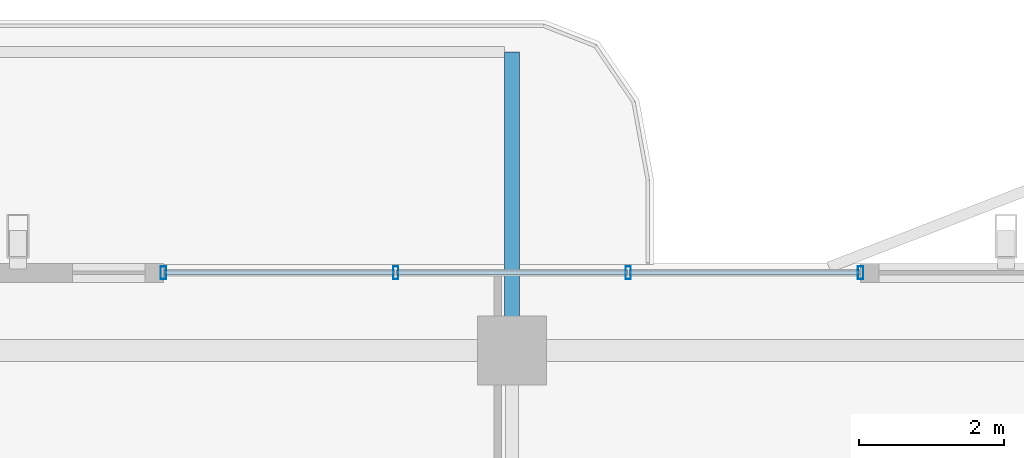
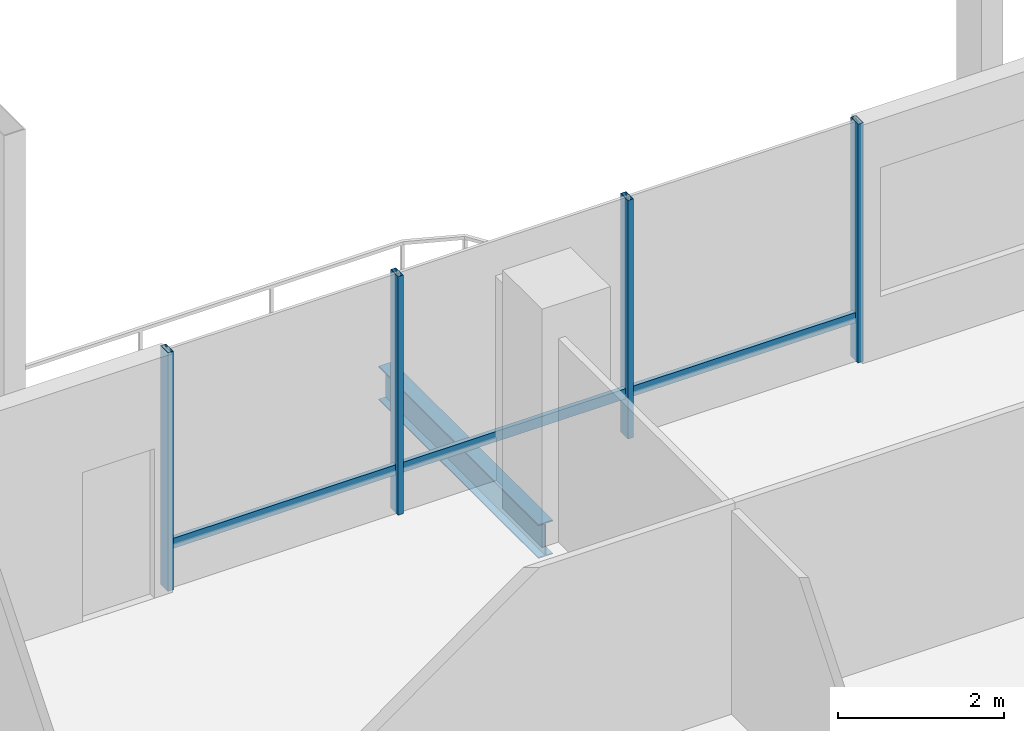
# One storey, part 11 of 20: 7 members, 1 beam, 1 element without a shape of its own.
"""IFC4 building model written with IfcOpenShell, lengths in metres."""

from ifc_helpers import new_model, si_unit, direction, frame, origin, origin_2d, place, context, subcontext, project, spatial, hollow_rectangle, i_section, extrude, material, layer, layer_set, material_profile, profile_set, type_object, element, aggregate, save


model = new_model("IFC4")

# Units and contexts
model_context = context("Model", 3, precision=1e-05, world=origin(), true_north=direction((0.0, 1.0)))
body_context = subcontext(model_context, "Body", "Model", "MODEL_VIEW")
ifc_project = project(units=[si_unit("LENGTHUNIT", "METRE"), si_unit("AREAUNIT", "SQUARE_METRE"), si_unit("VOLUMEUNIT", "CUBIC_METRE"), si_unit("PLANEANGLEUNIT", "RADIAN"), si_unit("MASSUNIT", "GRAM", prefix="KILO")], contexts=[model_context])

# Site, building, storey
site_placement = place(None, origin())
site = spatial("IfcSite", under=ifc_project, at=site_placement, CompositionType="ELEMENT")
building_placement = place(site_placement, origin())
building = spatial("IfcBuilding", under=site, at=building_placement, Name="Belovzor Exchange Tower", CompositionType="ELEMENT")
storey_placement = place(building_placement, frame((0.0, 0.0, 299.25)))
storey = spatial("IfcBuildingStorey", under=building, at=storey_placement, Name="L74", CompositionType="ELEMENT", Elevation=299.25)

# Beam
ifc_material_1 = material(Name="Steel S355", Category="steel")
ifc_material_profile_1 = material_profile(ifc_material_1, i_section(OverallWidth=0.199951171875, OverallDepth=0.5, WebThickness=0.01025390625, FlangeThickness=0.01611328125, at=origin_2d()))
ifc_profile_set_1 = profile_set([ifc_material_profile_1], Name="Steel S355")
beam_type = type_object("IfcBeamType", Name="Planted Balcony Cantilever Beam IPE 500", PredefinedType="BEAM", material=ifc_profile_set_1)
beam_placement = place(storey_placement, frame((28.800048828125, 50.660888671875, -0.489990234375), z_axis=(0.0, 1.0, 0.0), x_axis=(-1.0, 0.0, 0.0)))
element("IfcBeam", 1, at=beam_placement, inside=storey, type_object=beam_type, Name="BC-500 Planted Balcony Cantilever Beam IPE 500", PredefinedType="BEAM", context=body_context, shape_type="SweptSolid", body=[
    extrude(i_section(OverallWidth=0.199951171875, OverallDepth=0.5, WebThickness=0.01025390625, FlangeThickness=0.01611328125, at=origin_2d()), origin(), (0.0, 0.0, 1.0), 3.85009765625),
])

# Curtain wall, members
ifc_material_2 = material(Name="Anodised Aluminium Framing", Category="aluminium")
ifc_layer = layer(ifc_material_2, 0.179931640625)
ifc_layer_set = layer_set([ifc_layer], Name="Anodised Aluminium Framing")
curtain_wall_type = type_object("IfcCurtainWallType", Name="Recessed Loggia Low-Iron Triple-Glazed Curtain Wall", PredefinedType="NOTDEFINED", material=ifc_layer_set)
curtain_wall_placement = place(storey_placement, origin())
curtain_wall = element("IfcCurtainWall", 2, at=curtain_wall_placement, inside=storey, type_object=curtain_wall_type, Name="CW3 Recessed Loggia Low-Iron Triple-Glazed Curtain Wall L74", PredefinedType="NOTDEFINED")
ifc_material_3 = material(Name="Steel S355", Category="steel")
ifc_material_profile_2 = material_profile(ifc_material_3, hollow_rectangle(XDim=0.074951171875, YDim=0.179931640625, WallThickness=0.0048828125, at=origin_2d()))
ifc_profile_set_2 = profile_set([ifc_material_profile_2], Name="Steel S355")
member_type_1 = type_object("IfcMemberType", Name="Thermally Broken Curtain Wall Mullion 180x75", PredefinedType="MULLION", material=ifc_profile_set_2)
member_1_placement = place(storey_placement, frame((24.0, 51.469970703125, 0.0), z_axis=(0.0, 0.0, 1.0), x_axis=(1.0, 0.0, 0.0)))
member_1 = element("IfcMember", 3, at=member_1_placement, type_object=member_type_1, Name="CW-M180 Curtain Wall Mullion 1", PredefinedType="MULLION", context=body_context, shape_type="SweptSolid", body=[
    extrude(hollow_rectangle(XDim=0.074951171875, YDim=0.179931640625, WallThickness=0.0048828125, at=origin_2d()), origin(), (0.0, 0.0, 1.0), 3.510009765625),
])
member_2_placement = place(storey_placement, frame((27.199951171875, 51.469970703125, 0.0), z_axis=(0.0, 0.0, 1.0), x_axis=(1.0, 0.0, 0.0)))
member_2 = element("IfcMember", 4, at=member_2_placement, type_object=member_type_1, Name="CW-M180 Curtain Wall Mullion 2", PredefinedType="MULLION", context=body_context, shape_type="SweptSolid", body=[
    extrude(hollow_rectangle(XDim=0.074951171875, YDim=0.179931640625, WallThickness=0.0048828125, at=origin_2d()), origin(), (0.0, 0.0, 1.0), 3.510009765625),
])
member_3_placement = place(storey_placement, frame((30.39990234375, 51.469970703125, 0.0), z_axis=(0.0, 0.0, 1.0), x_axis=(1.0, 0.0, 0.0)))
member_3 = element("IfcMember", 5, at=member_3_placement, type_object=member_type_1, Name="CW-M180 Curtain Wall Mullion 3", PredefinedType="MULLION", context=body_context, shape_type="SweptSolid", body=[
    extrude(hollow_rectangle(XDim=0.074951171875, YDim=0.179931640625, WallThickness=0.0048828125, at=origin_2d()), origin(), (0.0, 0.0, 1.0), 3.510009765625),
])
member_4_placement = place(storey_placement, frame((33.60009765625, 51.469970703125, 0.0), z_axis=(0.0, 0.0, 1.0), x_axis=(1.0, 0.0, 0.0)))
member_4 = element("IfcMember", 6, at=member_4_placement, type_object=member_type_1, Name="CW-M180 Curtain Wall Mullion 4", PredefinedType="MULLION", context=body_context, shape_type="SweptSolid", body=[
    extrude(hollow_rectangle(XDim=0.074951171875, YDim=0.179931640625, WallThickness=0.0048828125, at=origin_2d()), origin(), (0.0, 0.0, 1.0), 3.510009765625),
])
ifc_material_4 = material(Name="Steel S355", Category="steel")
ifc_material_profile_3 = material_profile(ifc_material_4, hollow_rectangle(XDim=0.06005859375, YDim=0.14990234375, WallThickness=0.00390625, at=origin_2d()))
ifc_profile_set_3 = profile_set([ifc_material_profile_3], Name="Steel S355")
member_type_2 = type_object("IfcMemberType", Name="Thermally Broken Curtain Wall Transom 150x60", PredefinedType="USERDEFINED", material=ifc_profile_set_3)
member_5_placement = place(storey_placement, frame((24.008056640625, 51.469970703125, 0.632080078125), z_axis=(1.0, 0.0, 0.0), x_axis=(0.0, 1.0, 0.0)))
member_5 = element("IfcMember", 7, at=member_5_placement, type_object=member_type_2, Name="CW-T150 Curtain Wall Transom 1", ObjectType="TRANSOM", PredefinedType="USERDEFINED", context=body_context, shape_type="SweptSolid", body=[
    extrude(hollow_rectangle(XDim=0.06005859375, YDim=0.14990234375, WallThickness=0.00390625, at=origin_2d()), origin(), (0.0, 0.0, 1.0), 3.183837890625),
])
member_6_placement = place(storey_placement, frame((27.2080078125, 51.469970703125, 0.632080078125), z_axis=(1.0, 0.0, 0.0), x_axis=(0.0, 1.0, 0.0)))
member_6 = element("IfcMember", 8, at=member_6_placement, type_object=member_type_2, Name="CW-T150 Curtain Wall Transom 2", ObjectType="TRANSOM", PredefinedType="USERDEFINED", context=body_context, shape_type="SweptSolid", body=[
    extrude(hollow_rectangle(XDim=0.06005859375, YDim=0.14990234375, WallThickness=0.00390625, at=origin_2d()), origin(), (0.0, 0.0, 1.0), 3.18408203125),
])
member_7_placement = place(storey_placement, frame((30.407958984375, 51.469970703125, 0.632080078125), z_axis=(1.0, 0.0, 0.0), x_axis=(0.0, 1.0, 0.0)))
member_7 = element("IfcMember", 9, at=member_7_placement, type_object=member_type_2, Name="CW-T150 Curtain Wall Transom 3", ObjectType="TRANSOM", PredefinedType="USERDEFINED", context=body_context, shape_type="SweptSolid", body=[
    extrude(hollow_rectangle(XDim=0.06005859375, YDim=0.14990234375, WallThickness=0.00390625, at=origin_2d()), origin(), (0.0, 0.0, 1.0), 3.18408203125),
])
aggregate(curtain_wall, [member_1, member_2, member_3, member_4, member_5, member_6, member_7])

save(model, "model.ifc")
